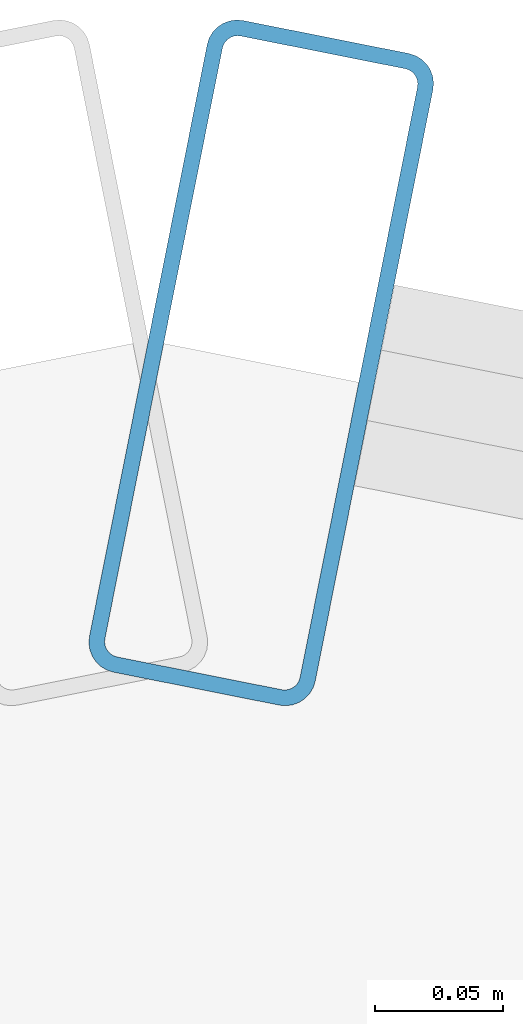
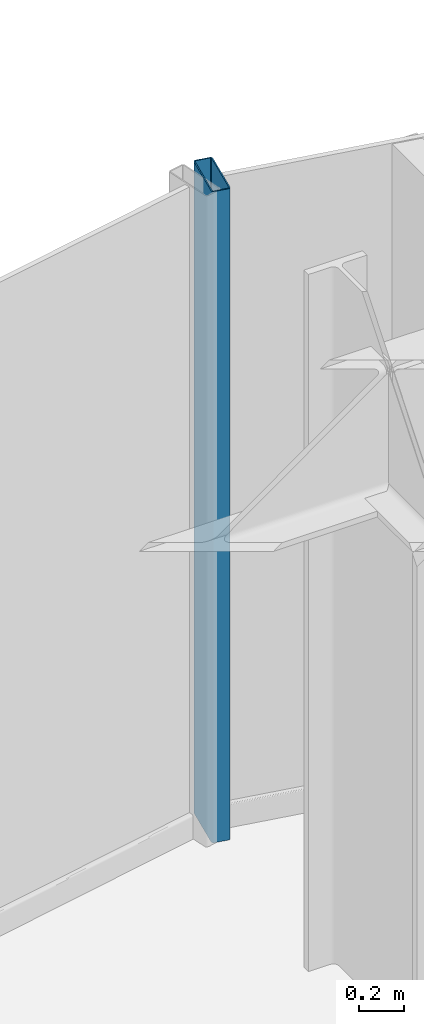
# One storey, part 15 of 26: 1 member, 1 element without a shape of its own.
"""IFC4 building model written with IfcOpenShell, lengths in metres."""

from ifc_helpers import new_model, si_unit, direction, frame, origin, origin_2d, place, context, subcontext, project, spatial, hollow_rectangle, extrude, source, transform, mapped, material, layer, layer_set, material_profile, profile_set, type_object, element, aggregate, save


model = new_model("IFC4")

# Units and contexts
model_context = context("Model", 3, precision=1e-05, world=origin(), true_north=direction((0.0, 1.0)))
body_context = subcontext(model_context, "Body", "Model", "MODEL_VIEW")
ifc_project = project(units=[si_unit("LENGTHUNIT", "METRE"), si_unit("AREAUNIT", "SQUARE_METRE"), si_unit("VOLUMEUNIT", "CUBIC_METRE"), si_unit("PLANEANGLEUNIT", "RADIAN"), si_unit("MASSUNIT", "GRAM", prefix="KILO")], contexts=[model_context])

# Site, building, storey
site_placement = place(None, origin())
site = spatial("IfcSite", under=ifc_project, at=site_placement, CompositionType="ELEMENT")
building_placement = place(site_placement, origin())
building = spatial("IfcBuilding", under=site, at=building_placement, Name="Nefas-Gora Pilgrimage Tower", CompositionType="ELEMENT")
storey_placement = place(building_placement, frame((0.0, 0.0, 36.800048828125)))
storey = spatial("IfcBuildingStorey", under=building, at=storey_placement, Name="L07", CompositionType="ELEMENT", Elevation=36.800048828125)

# Curtain wall, member
ifc_material_1 = material(Name="Dark ceramic-fritted solar-control aluminium-glass curtain wall", Category="aluminium")
ifc_layer = layer(ifc_material_1, 0.219970703125)
ifc_layer_set = layer_set([ifc_layer], Name="Dark ceramic-fritted solar-control aluminium-glass curtain wall")
curtain_wall_type = type_object("IfcCurtainWallType", Name="CW-SYS-5", PredefinedType="NOTDEFINED", material=ifc_layer_set)
curtain_wall_placement = place(storey_placement, origin())
curtain_wall = element("IfcCurtainWall", 1, at=curtain_wall_placement, inside=storey, type_object=curtain_wall_type, Name="L07 Unitised Curtain Wall CW5", PredefinedType="NOTDEFINED")
ifc_material_2 = material(Name="Anodised architectural aluminium", Category="aluminium")
ifc_material_profile = material_profile(ifc_material_2, hollow_rectangle(XDim=0.090087890625, YDim=0.260009765625, WallThickness=0.006103515625, InnerFilletRadius=0.006103515625, OuterFilletRadius=0.011962890625, at=origin_2d()), Name="ALU MULLION 90x260")
ifc_profile_set = profile_set([ifc_material_profile], Name="Anodised architectural aluminium")
member_type = type_object("IfcMemberType", Name="CWM-MUL-5", PredefinedType="MULLION", material=ifc_profile_set)
shared_shape = source(origin(), body_context, "Body", "SweptSolid", [
    extrude(hollow_rectangle(XDim=0.090087890625, YDim=0.260009765625, WallThickness=0.006103515625, InnerFilletRadius=0.006103515625, OuterFilletRadius=0.011962890625, at=origin_2d()), origin(), (0.0, 0.0, 1.0), 3.550048828125),
])
member_placement = place(storey_placement, frame((-2.205810546875, 24.16357421875, 0.0), z_axis=(0.0, 0.0, 1.0), x_axis=(-0.980782896852, 0.195102304554, 0.0)))
member = element("IfcMember", 2, at=member_placement, type_object=member_type, Name="CW5 Mullion 2", PredefinedType="MULLION", context=body_context, shape_type="MappedRepresentation", body=[
    mapped(shared_shape, transform((0.0, 0.0, 0.0), x_axis=(1.0, 0.0, 0.0), y_axis=(0.0, 1.0, 0.0), z_axis=(0.0, 0.0, 1.0), scale=1.0)),
])
aggregate(curtain_wall, [member])

save(model, "model.ifc")
